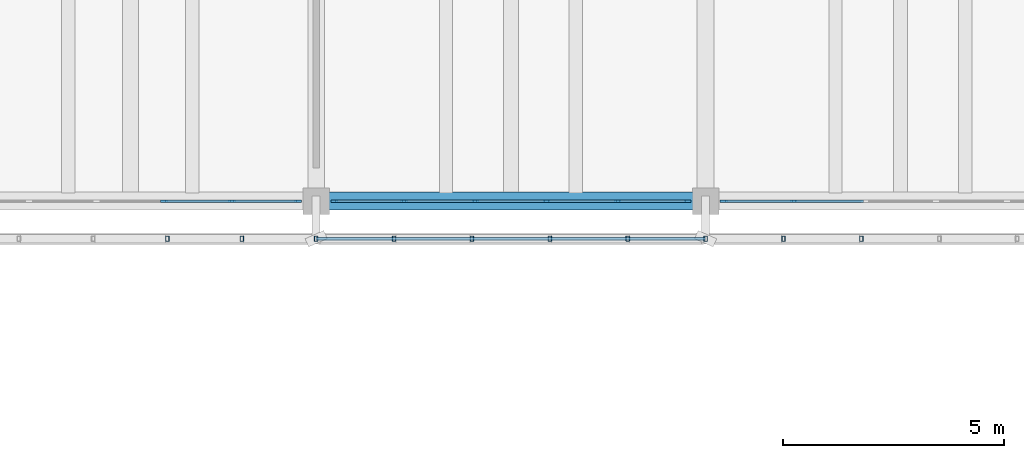
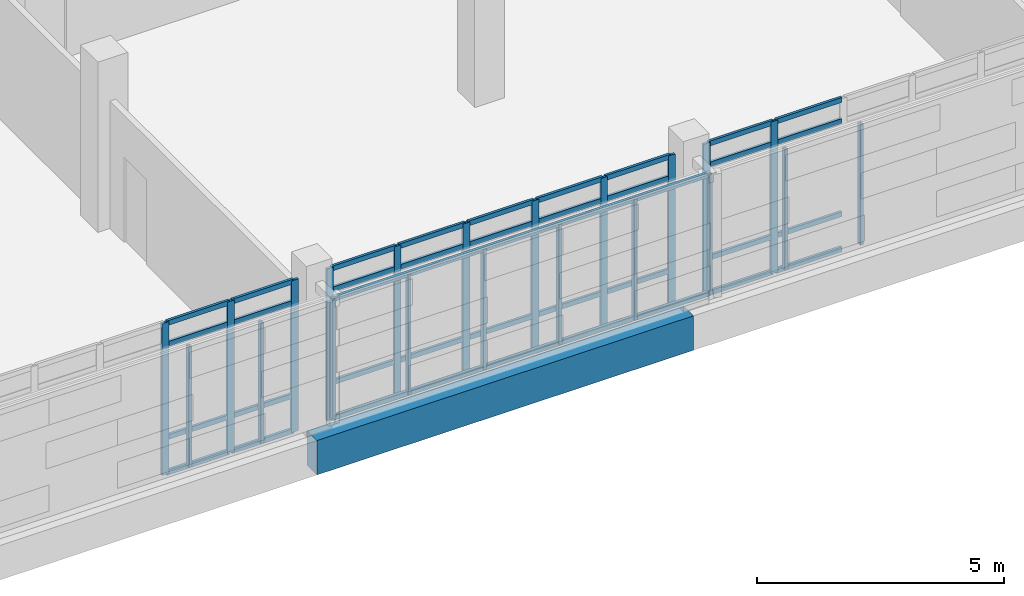
# One storey, part 54 of 137: 59 members, 1 beam, 3 elements without a shape of their own.
"""IFC4 building model written with IfcOpenShell, lengths in metres."""

from ifc_helpers import new_model, si_unit, direction, frame, origin, origin_2d, place, context, subcontext, project, spatial, rectangle, hollow_rectangle, extrude, material, material_profile, profile_set, type_object, element, aggregate, save


model = new_model("IFC4")

# Units and contexts
model_context = context("Model", 3, precision=1e-05, world=origin(), true_north=direction((0.0, 1.0)))
body_context = subcontext(model_context, "Body", "Model", "MODEL_VIEW")
ifc_project = project(units=[si_unit("LENGTHUNIT", "METRE"), si_unit("AREAUNIT", "SQUARE_METRE"), si_unit("VOLUMEUNIT", "CUBIC_METRE"), si_unit("PLANEANGLEUNIT", "RADIAN"), si_unit("MASSUNIT", "GRAM", prefix="KILO")], contexts=[model_context])

# Site, building, storey
site_placement = place(None, origin())
site = spatial("IfcSite", under=ifc_project, at=site_placement, CompositionType="ELEMENT")
building_placement = place(site_placement, origin())
building = spatial("IfcBuilding", under=site, at=building_placement, Name="Cinderway Yard Community Centre", CompositionType="ELEMENT")
storey_placement = place(building_placement, frame((0.0, 0.0, 4.800048828125)))
storey = spatial("IfcBuildingStorey", under=building, at=storey_placement, Name="L01", CompositionType="ELEMENT", Elevation=4.800048828125)

# Curtain wall, members
ifc_material_1 = material(Name="Aluminium 6063-T6", Category="aluminium")
curtain_wall_type_1 = type_object("IfcCurtainWallType", Name="ENV-CW-TYPE-26", PredefinedType="USERDEFINED", material=ifc_material_1)
curtain_wall_1_placement = place(storey_placement, origin())
curtain_wall_1 = element("IfcCurtainWall", 1, at=curtain_wall_1_placement, inside=storey, type_object=curtain_wall_type_1, Name="V4 Courtyard Curtain Wall ENV-CW-L01-ST-0127", ObjectType="GLAZED CURTAIN WALL", PredefinedType="USERDEFINED")
ifc_material_profile_1 = material_profile(ifc_material_1, rectangle(XDim=0.06005859375, YDim=0.159912109375, at=origin_2d()), Name="Aluminium 6063-T6")
ifc_profile_set_1 = profile_set([ifc_material_profile_1], Name="Aluminium 6063-T6")
member_type_1 = type_object("IfcMemberType", Name="ENV-CW-MULL-150", PredefinedType="MULLION", material=ifc_profile_set_1)
member_1_placement = place(storey_placement, frame((71.763916015625, 90.0, 0.0), z_axis=(0.0, 0.0, 1.0), x_axis=(0.0, 1.0, 0.0)))
member_1 = element("IfcMember", 2, at=member_1_placement, type_object=member_type_1, Name="CW-26 mullion 4", PredefinedType="MULLION", context=body_context, shape_type="SweptSolid", body=[
    extrude(rectangle(XDim=0.06005859375, YDim=0.159912109375, at=origin_2d()), origin(), (0.0, 0.0, 1.0), 3.75),
])
member_2_placement = place(storey_placement, frame((73.2919921875, 90.0, 0.0), z_axis=(0.0, 0.0, 1.0), x_axis=(0.0, 1.0, 0.0)))
member_2 = element("IfcMember", 3, at=member_2_placement, type_object=member_type_1, Name="CW-26 mullion 5", PredefinedType="MULLION", context=body_context, shape_type="SweptSolid", body=[
    extrude(rectangle(XDim=0.06005859375, YDim=0.159912109375, at=origin_2d()), origin(), (0.0, 0.0, 1.0), 3.75),
])
member_3_placement = place(storey_placement, frame((74.7900390625, 90.0, 0.0), z_axis=(0.0, 0.0, 1.0), x_axis=(0.0, 1.0, 0.0)))
member_3 = element("IfcMember", 4, at=member_3_placement, type_object=member_type_1, Name="CW-26 mullion 6", PredefinedType="MULLION", context=body_context, shape_type="SweptSolid", body=[
    extrude(rectangle(XDim=0.06005859375, YDim=0.159912109375, at=origin_2d()), origin(), (0.0, 0.0, 1.0), 3.75),
])

curtain_wall_type_2 = type_object("IfcCurtainWallType", Name="ENV-CW-TYPE-27", PredefinedType="USERDEFINED", material=ifc_material_1)
curtain_wall_2_placement = place(storey_placement, origin())
curtain_wall_2 = element("IfcCurtainWall", 5, at=curtain_wall_2_placement, inside=storey, type_object=curtain_wall_type_2, Name="V4 Courtyard Curtain Wall ENV-CW-L01-ST-0128", ObjectType="GLAZED CURTAIN WALL", PredefinedType="USERDEFINED")
member_4_placement = place(storey_placement, frame((75.610107421875, 90.0, 0.0), z_axis=(0.0, 0.0, 1.0), x_axis=(0.0, 1.0, 0.0)))
member_4 = element("IfcMember", 6, at=member_4_placement, type_object=member_type_1, Name="CW-27 mullion 1", PredefinedType="MULLION", context=body_context, shape_type="SweptSolid", body=[
    extrude(rectangle(XDim=0.06005859375, YDim=0.159912109375, at=origin_2d()), origin(), (0.0, 0.0, 1.0), 3.75),
])
member_5_placement = place(storey_placement, frame((77.18798828125, 90.0, 0.0), z_axis=(0.0, 0.0, 1.0), x_axis=(0.0, 1.0, 0.0)))
member_5 = element("IfcMember", 7, at=member_5_placement, type_object=member_type_1, Name="CW-27 mullion 2", PredefinedType="MULLION", context=body_context, shape_type="SweptSolid", body=[
    extrude(rectangle(XDim=0.06005859375, YDim=0.159912109375, at=origin_2d()), origin(), (0.0, 0.0, 1.0), 3.75),
])
member_6_placement = place(storey_placement, frame((78.7958984375, 90.0, 0.0), z_axis=(0.0, 0.0, 1.0), x_axis=(0.0, 1.0, 0.0)))
member_6 = element("IfcMember", 8, at=member_6_placement, type_object=member_type_1, Name="CW-27 mullion 3", PredefinedType="MULLION", context=body_context, shape_type="SweptSolid", body=[
    extrude(rectangle(XDim=0.06005859375, YDim=0.159912109375, at=origin_2d()), origin(), (0.0, 0.0, 1.0), 3.75),
])
member_7_placement = place(storey_placement, frame((80.404052734375, 90.0, 0.0), z_axis=(0.0, 0.0, 1.0), x_axis=(0.0, 1.0, 0.0)))
member_7 = element("IfcMember", 9, at=member_7_placement, type_object=member_type_1, Name="CW-27 mullion 4", PredefinedType="MULLION", context=body_context, shape_type="SweptSolid", body=[
    extrude(rectangle(XDim=0.06005859375, YDim=0.159912109375, at=origin_2d()), origin(), (0.0, 0.0, 1.0), 3.75),
])
member_8_placement = place(storey_placement, frame((82.011962890625, 90.0, 0.0), z_axis=(0.0, 0.0, 1.0), x_axis=(0.0, 1.0, 0.0)))
member_8 = element("IfcMember", 10, at=member_8_placement, type_object=member_type_1, Name="CW-27 mullion 5", PredefinedType="MULLION", context=body_context, shape_type="SweptSolid", body=[
    extrude(rectangle(XDim=0.06005859375, YDim=0.159912109375, at=origin_2d()), origin(), (0.0, 0.0, 1.0), 3.75),
])
member_9_placement = place(storey_placement, frame((83.590087890625, 90.0, 0.0), z_axis=(0.0, 0.0, 1.0), x_axis=(0.0, 1.0, 0.0)))
member_9 = element("IfcMember", 11, at=member_9_placement, type_object=member_type_1, Name="CW-27 mullion 6", PredefinedType="MULLION", context=body_context, shape_type="SweptSolid", body=[
    extrude(rectangle(XDim=0.06005859375, YDim=0.159912109375, at=origin_2d()), origin(), (0.0, 0.0, 1.0), 3.75),
])

curtain_wall_3_placement = place(storey_placement, origin())
curtain_wall_3 = element("IfcCurtainWall", 12, at=curtain_wall_3_placement, inside=storey, type_object=curtain_wall_type_2, Name="V4 Courtyard Curtain Wall ENV-CW-L01-ST-0130", ObjectType="GLAZED CURTAIN WALL", PredefinedType="USERDEFINED")
member_10_placement = place(storey_placement, frame((84.409912109375, 90.0, 0.0), z_axis=(0.0, 0.0, 1.0), x_axis=(0.0, 1.0, 0.0)))
member_10 = element("IfcMember", 13, at=member_10_placement, type_object=member_type_1, Name="CW-27 mullion 1", PredefinedType="MULLION", context=body_context, shape_type="SweptSolid", body=[
    extrude(rectangle(XDim=0.06005859375, YDim=0.159912109375, at=origin_2d()), origin(), (0.0, 0.0, 1.0), 3.75),
])
member_11_placement = place(storey_placement, frame((85.988037109375, 90.0, 0.0), z_axis=(0.0, 0.0, 1.0), x_axis=(0.0, 1.0, 0.0)))
member_11 = element("IfcMember", 14, at=member_11_placement, type_object=member_type_1, Name="CW-27 mullion 2", PredefinedType="MULLION", context=body_context, shape_type="SweptSolid", body=[
    extrude(rectangle(XDim=0.06005859375, YDim=0.159912109375, at=origin_2d()), origin(), (0.0, 0.0, 1.0), 3.75),
])

# Member
ifc_material_profile_2 = material_profile(ifc_material_1, rectangle(XDim=0.06005859375, YDim=0.1201171875, at=origin_2d()), Name="Aluminium 6063-T6")
ifc_profile_set_2 = profile_set([ifc_material_profile_2], Name="Aluminium 6063-T6")
member_type_2 = type_object("IfcMemberType", Name="ENV-CW-TRAN-110", PredefinedType="USERDEFINED", material=ifc_profile_set_2)
member_12_placement = place(storey_placement, frame((71.7939453125, 90.0, 0.030029296875), z_axis=(1.0, 0.0, 0.0), x_axis=(0.0, 1.0, 0.0)))
member_12 = element("IfcMember", 15, at=member_12_placement, type_object=member_type_2, Name="CW-26 transom 4.1", ObjectType="TRANSOM", PredefinedType="USERDEFINED", context=body_context, shape_type="SweptSolid", body=[
    extrude(rectangle(XDim=0.06005859375, YDim=0.1201171875, at=origin_2d()), origin(), (0.0, 0.0, 1.0), 1.468017578125),
])

member_13_placement = place(storey_placement, frame((71.7939453125, 90.0, 0.89990234375), z_axis=(1.0, 0.0, 0.0), x_axis=(0.0, 1.0, 0.0)))
member_13 = element("IfcMember", 16, at=member_13_placement, type_object=member_type_2, Name="CW-26 transom 4.2", ObjectType="TRANSOM", PredefinedType="USERDEFINED", context=body_context, shape_type="SweptSolid", body=[
    extrude(rectangle(XDim=0.06005859375, YDim=0.1201171875, at=origin_2d()), origin(), (0.0, 0.0, 1.0), 1.468017578125),
])

member_14_placement = place(storey_placement, frame((71.7939453125, 90.0, 3.199951171875), z_axis=(1.0, 0.0, 0.0), x_axis=(0.0, 1.0, 0.0)))
member_14 = element("IfcMember", 17, at=member_14_placement, type_object=member_type_2, Name="CW-26 transom 4.3", ObjectType="TRANSOM", PredefinedType="USERDEFINED", context=body_context, shape_type="SweptSolid", body=[
    extrude(rectangle(XDim=0.06005859375, YDim=0.1201171875, at=origin_2d()), origin(), (0.0, 0.0, 1.0), 1.468017578125),
])

member_15_placement = place(storey_placement, frame((71.7939453125, 90.0, 3.719970703125), z_axis=(1.0, 0.0, 0.0), x_axis=(0.0, 1.0, 0.0)))
member_15 = element("IfcMember", 18, at=member_15_placement, type_object=member_type_2, Name="CW-26 transom 4.4", ObjectType="TRANSOM", PredefinedType="USERDEFINED", context=body_context, shape_type="SweptSolid", body=[
    extrude(rectangle(XDim=0.06005859375, YDim=0.1201171875, at=origin_2d()), origin(), (0.0, 0.0, 1.0), 1.468017578125),
])

member_16_placement = place(storey_placement, frame((73.322021484375, 90.0, 0.030029296875), z_axis=(1.0, 0.0, 0.0), x_axis=(0.0, 1.0, 0.0)))
member_16 = element("IfcMember", 19, at=member_16_placement, type_object=member_type_2, Name="CW-26 transom 5.1", ObjectType="TRANSOM", PredefinedType="USERDEFINED", context=body_context, shape_type="SweptSolid", body=[
    extrude(rectangle(XDim=0.06005859375, YDim=0.1201171875, at=origin_2d()), origin(), (0.0, 0.0, 1.0), 1.43798828125),
])

member_17_placement = place(storey_placement, frame((73.322021484375, 90.0, 0.89990234375), z_axis=(1.0, 0.0, 0.0), x_axis=(0.0, 1.0, 0.0)))
member_17 = element("IfcMember", 20, at=member_17_placement, type_object=member_type_2, Name="CW-26 transom 5.2", ObjectType="TRANSOM", PredefinedType="USERDEFINED", context=body_context, shape_type="SweptSolid", body=[
    extrude(rectangle(XDim=0.06005859375, YDim=0.1201171875, at=origin_2d()), origin(), (0.0, 0.0, 1.0), 1.43798828125),
])

member_18_placement = place(storey_placement, frame((73.322021484375, 90.0, 3.199951171875), z_axis=(1.0, 0.0, 0.0), x_axis=(0.0, 1.0, 0.0)))
member_18 = element("IfcMember", 21, at=member_18_placement, type_object=member_type_2, Name="CW-26 transom 5.3", ObjectType="TRANSOM", PredefinedType="USERDEFINED", context=body_context, shape_type="SweptSolid", body=[
    extrude(rectangle(XDim=0.06005859375, YDim=0.1201171875, at=origin_2d()), origin(), (0.0, 0.0, 1.0), 1.43798828125),
])

member_19_placement = place(storey_placement, frame((73.322021484375, 90.0, 3.719970703125), z_axis=(1.0, 0.0, 0.0), x_axis=(0.0, 1.0, 0.0)))
member_19 = element("IfcMember", 22, at=member_19_placement, type_object=member_type_2, Name="CW-26 transom 5.4", ObjectType="TRANSOM", PredefinedType="USERDEFINED", context=body_context, shape_type="SweptSolid", body=[
    extrude(rectangle(XDim=0.06005859375, YDim=0.1201171875, at=origin_2d()), origin(), (0.0, 0.0, 1.0), 1.43798828125),
])

aggregate(curtain_wall_1, [member_1, member_2, member_3, member_12, member_13, member_14, member_15, member_16, member_17, member_18, member_19])

member_20_placement = place(storey_placement, frame((75.639892578125, 90.0, 0.030029296875), z_axis=(1.0, 0.0, 0.0), x_axis=(0.0, 1.0, 0.0)))
member_20 = element("IfcMember", 23, at=member_20_placement, type_object=member_type_2, Name="CW-27 transom 1.1", ObjectType="TRANSOM", PredefinedType="USERDEFINED", context=body_context, shape_type="SweptSolid", body=[
    extrude(rectangle(XDim=0.06005859375, YDim=0.1201171875, at=origin_2d()), origin(), (0.0, 0.0, 1.0), 1.51806640625),
])

member_21_placement = place(storey_placement, frame((75.639892578125, 90.0, 0.89990234375), z_axis=(1.0, 0.0, 0.0), x_axis=(0.0, 1.0, 0.0)))
member_21 = element("IfcMember", 24, at=member_21_placement, type_object=member_type_2, Name="CW-27 transom 1.2", ObjectType="TRANSOM", PredefinedType="USERDEFINED", context=body_context, shape_type="SweptSolid", body=[
    extrude(rectangle(XDim=0.06005859375, YDim=0.1201171875, at=origin_2d()), origin(), (0.0, 0.0, 1.0), 1.51806640625),
])

member_22_placement = place(storey_placement, frame((75.639892578125, 90.0, 3.199951171875), z_axis=(1.0, 0.0, 0.0), x_axis=(0.0, 1.0, 0.0)))
member_22 = element("IfcMember", 25, at=member_22_placement, type_object=member_type_2, Name="CW-27 transom 1.3", ObjectType="TRANSOM", PredefinedType="USERDEFINED", context=body_context, shape_type="SweptSolid", body=[
    extrude(rectangle(XDim=0.06005859375, YDim=0.1201171875, at=origin_2d()), origin(), (0.0, 0.0, 1.0), 1.51806640625),
])

member_23_placement = place(storey_placement, frame((75.639892578125, 90.0, 3.719970703125), z_axis=(1.0, 0.0, 0.0), x_axis=(0.0, 1.0, 0.0)))
member_23 = element("IfcMember", 26, at=member_23_placement, type_object=member_type_2, Name="CW-27 transom 1.4", ObjectType="TRANSOM", PredefinedType="USERDEFINED", context=body_context, shape_type="SweptSolid", body=[
    extrude(rectangle(XDim=0.06005859375, YDim=0.1201171875, at=origin_2d()), origin(), (0.0, 0.0, 1.0), 1.51806640625),
])

member_24_placement = place(storey_placement, frame((77.218017578125, 90.0, 0.030029296875), z_axis=(1.0, 0.0, 0.0), x_axis=(0.0, 1.0, 0.0)))
member_24 = element("IfcMember", 27, at=member_24_placement, type_object=member_type_2, Name="CW-27 transom 2.1", ObjectType="TRANSOM", PredefinedType="USERDEFINED", context=body_context, shape_type="SweptSolid", body=[
    extrude(rectangle(XDim=0.06005859375, YDim=0.1201171875, at=origin_2d()), origin(), (0.0, 0.0, 1.0), 1.548095703125),
])

member_25_placement = place(storey_placement, frame((77.218017578125, 90.0, 0.89990234375), z_axis=(1.0, 0.0, 0.0), x_axis=(0.0, 1.0, 0.0)))
member_25 = element("IfcMember", 28, at=member_25_placement, type_object=member_type_2, Name="CW-27 transom 2.2", ObjectType="TRANSOM", PredefinedType="USERDEFINED", context=body_context, shape_type="SweptSolid", body=[
    extrude(rectangle(XDim=0.06005859375, YDim=0.1201171875, at=origin_2d()), origin(), (0.0, 0.0, 1.0), 1.548095703125),
])

member_26_placement = place(storey_placement, frame((77.218017578125, 90.0, 3.199951171875), z_axis=(1.0, 0.0, 0.0), x_axis=(0.0, 1.0, 0.0)))
member_26 = element("IfcMember", 29, at=member_26_placement, type_object=member_type_2, Name="CW-27 transom 2.3", ObjectType="TRANSOM", PredefinedType="USERDEFINED", context=body_context, shape_type="SweptSolid", body=[
    extrude(rectangle(XDim=0.06005859375, YDim=0.1201171875, at=origin_2d()), origin(), (0.0, 0.0, 1.0), 1.548095703125),
])

member_27_placement = place(storey_placement, frame((77.218017578125, 90.0, 3.719970703125), z_axis=(1.0, 0.0, 0.0), x_axis=(0.0, 1.0, 0.0)))
member_27 = element("IfcMember", 30, at=member_27_placement, type_object=member_type_2, Name="CW-27 transom 2.4", ObjectType="TRANSOM", PredefinedType="USERDEFINED", context=body_context, shape_type="SweptSolid", body=[
    extrude(rectangle(XDim=0.06005859375, YDim=0.1201171875, at=origin_2d()), origin(), (0.0, 0.0, 1.0), 1.548095703125),
])

member_28_placement = place(storey_placement, frame((78.825927734375, 90.0, 0.030029296875), z_axis=(1.0, 0.0, 0.0), x_axis=(0.0, 1.0, 0.0)))
member_28 = element("IfcMember", 31, at=member_28_placement, type_object=member_type_2, Name="CW-27 transom 3.1", ObjectType="TRANSOM", PredefinedType="USERDEFINED", context=body_context, shape_type="SweptSolid", body=[
    extrude(rectangle(XDim=0.06005859375, YDim=0.1201171875, at=origin_2d()), origin(), (0.0, 0.0, 1.0), 1.548095703125),
])

member_29_placement = place(storey_placement, frame((78.825927734375, 90.0, 0.89990234375), z_axis=(1.0, 0.0, 0.0), x_axis=(0.0, 1.0, 0.0)))
member_29 = element("IfcMember", 32, at=member_29_placement, type_object=member_type_2, Name="CW-27 transom 3.2", ObjectType="TRANSOM", PredefinedType="USERDEFINED", context=body_context, shape_type="SweptSolid", body=[
    extrude(rectangle(XDim=0.06005859375, YDim=0.1201171875, at=origin_2d()), origin(), (0.0, 0.0, 1.0), 1.548095703125),
])

member_30_placement = place(storey_placement, frame((78.825927734375, 90.0, 3.199951171875), z_axis=(1.0, 0.0, 0.0), x_axis=(0.0, 1.0, 0.0)))
member_30 = element("IfcMember", 33, at=member_30_placement, type_object=member_type_2, Name="CW-27 transom 3.3", ObjectType="TRANSOM", PredefinedType="USERDEFINED", context=body_context, shape_type="SweptSolid", body=[
    extrude(rectangle(XDim=0.06005859375, YDim=0.1201171875, at=origin_2d()), origin(), (0.0, 0.0, 1.0), 1.548095703125),
])

member_31_placement = place(storey_placement, frame((78.825927734375, 90.0, 3.719970703125), z_axis=(1.0, 0.0, 0.0), x_axis=(0.0, 1.0, 0.0)))
member_31 = element("IfcMember", 34, at=member_31_placement, type_object=member_type_2, Name="CW-27 transom 3.4", ObjectType="TRANSOM", PredefinedType="USERDEFINED", context=body_context, shape_type="SweptSolid", body=[
    extrude(rectangle(XDim=0.06005859375, YDim=0.1201171875, at=origin_2d()), origin(), (0.0, 0.0, 1.0), 1.548095703125),
])

member_32_placement = place(storey_placement, frame((80.43408203125, 90.0, 0.030029296875), z_axis=(1.0, 0.0, 0.0), x_axis=(0.0, 1.0, 0.0)))
member_32 = element("IfcMember", 35, at=member_32_placement, type_object=member_type_2, Name="CW-27 transom 4.1", ObjectType="TRANSOM", PredefinedType="USERDEFINED", context=body_context, shape_type="SweptSolid", body=[
    extrude(rectangle(XDim=0.06005859375, YDim=0.1201171875, at=origin_2d()), origin(), (0.0, 0.0, 1.0), 1.5478515625),
])

member_33_placement = place(storey_placement, frame((80.43408203125, 90.0, 0.89990234375), z_axis=(1.0, 0.0, 0.0), x_axis=(0.0, 1.0, 0.0)))
member_33 = element("IfcMember", 36, at=member_33_placement, type_object=member_type_2, Name="CW-27 transom 4.2", ObjectType="TRANSOM", PredefinedType="USERDEFINED", context=body_context, shape_type="SweptSolid", body=[
    extrude(rectangle(XDim=0.06005859375, YDim=0.1201171875, at=origin_2d()), origin(), (0.0, 0.0, 1.0), 1.5478515625),
])

member_34_placement = place(storey_placement, frame((80.43408203125, 90.0, 3.199951171875), z_axis=(1.0, 0.0, 0.0), x_axis=(0.0, 1.0, 0.0)))
member_34 = element("IfcMember", 37, at=member_34_placement, type_object=member_type_2, Name="CW-27 transom 4.3", ObjectType="TRANSOM", PredefinedType="USERDEFINED", context=body_context, shape_type="SweptSolid", body=[
    extrude(rectangle(XDim=0.06005859375, YDim=0.1201171875, at=origin_2d()), origin(), (0.0, 0.0, 1.0), 1.5478515625),
])

member_35_placement = place(storey_placement, frame((80.43408203125, 90.0, 3.719970703125), z_axis=(1.0, 0.0, 0.0), x_axis=(0.0, 1.0, 0.0)))
member_35 = element("IfcMember", 38, at=member_35_placement, type_object=member_type_2, Name="CW-27 transom 4.4", ObjectType="TRANSOM", PredefinedType="USERDEFINED", context=body_context, shape_type="SweptSolid", body=[
    extrude(rectangle(XDim=0.06005859375, YDim=0.1201171875, at=origin_2d()), origin(), (0.0, 0.0, 1.0), 1.5478515625),
])

member_36_placement = place(storey_placement, frame((82.0419921875, 90.0, 0.030029296875), z_axis=(1.0, 0.0, 0.0), x_axis=(0.0, 1.0, 0.0)))
member_36 = element("IfcMember", 39, at=member_36_placement, type_object=member_type_2, Name="CW-27 transom 5.1", ObjectType="TRANSOM", PredefinedType="USERDEFINED", context=body_context, shape_type="SweptSolid", body=[
    extrude(rectangle(XDim=0.06005859375, YDim=0.1201171875, at=origin_2d()), origin(), (0.0, 0.0, 1.0), 1.51806640625),
])

member_37_placement = place(storey_placement, frame((82.0419921875, 90.0, 0.89990234375), z_axis=(1.0, 0.0, 0.0), x_axis=(0.0, 1.0, 0.0)))
member_37 = element("IfcMember", 40, at=member_37_placement, type_object=member_type_2, Name="CW-27 transom 5.2", ObjectType="TRANSOM", PredefinedType="USERDEFINED", context=body_context, shape_type="SweptSolid", body=[
    extrude(rectangle(XDim=0.06005859375, YDim=0.1201171875, at=origin_2d()), origin(), (0.0, 0.0, 1.0), 1.51806640625),
])

member_38_placement = place(storey_placement, frame((82.0419921875, 90.0, 3.199951171875), z_axis=(1.0, 0.0, 0.0), x_axis=(0.0, 1.0, 0.0)))
member_38 = element("IfcMember", 41, at=member_38_placement, type_object=member_type_2, Name="CW-27 transom 5.3", ObjectType="TRANSOM", PredefinedType="USERDEFINED", context=body_context, shape_type="SweptSolid", body=[
    extrude(rectangle(XDim=0.06005859375, YDim=0.1201171875, at=origin_2d()), origin(), (0.0, 0.0, 1.0), 1.51806640625),
])

member_39_placement = place(storey_placement, frame((82.0419921875, 90.0, 3.719970703125), z_axis=(1.0, 0.0, 0.0), x_axis=(0.0, 1.0, 0.0)))
member_39 = element("IfcMember", 42, at=member_39_placement, type_object=member_type_2, Name="CW-27 transom 5.4", ObjectType="TRANSOM", PredefinedType="USERDEFINED", context=body_context, shape_type="SweptSolid", body=[
    extrude(rectangle(XDim=0.06005859375, YDim=0.1201171875, at=origin_2d()), origin(), (0.0, 0.0, 1.0), 1.51806640625),
])

aggregate(curtain_wall_2, [member_4, member_5, member_6, member_7, member_8, member_9, member_20, member_21, member_22, member_23, member_24, member_25, member_26, member_27, member_28, member_29, member_30, member_31, member_32, member_33, member_34, member_35, member_36, member_37, member_38, member_39])

member_40_placement = place(storey_placement, frame((84.43994140625, 90.0, 0.030029296875), z_axis=(1.0, 0.0, 0.0), x_axis=(0.0, 1.0, 0.0)))
member_40 = element("IfcMember", 43, at=member_40_placement, type_object=member_type_2, Name="CW-27 transom 1.1", ObjectType="TRANSOM", PredefinedType="USERDEFINED", context=body_context, shape_type="SweptSolid", body=[
    extrude(rectangle(XDim=0.06005859375, YDim=0.1201171875, at=origin_2d()), origin(), (0.0, 0.0, 1.0), 1.51806640625),
])

member_41_placement = place(storey_placement, frame((84.43994140625, 90.0, 0.89990234375), z_axis=(1.0, 0.0, 0.0), x_axis=(0.0, 1.0, 0.0)))
member_41 = element("IfcMember", 44, at=member_41_placement, type_object=member_type_2, Name="CW-27 transom 1.2", ObjectType="TRANSOM", PredefinedType="USERDEFINED", context=body_context, shape_type="SweptSolid", body=[
    extrude(rectangle(XDim=0.06005859375, YDim=0.1201171875, at=origin_2d()), origin(), (0.0, 0.0, 1.0), 1.51806640625),
])

member_42_placement = place(storey_placement, frame((84.43994140625, 90.0, 3.199951171875), z_axis=(1.0, 0.0, 0.0), x_axis=(0.0, 1.0, 0.0)))
member_42 = element("IfcMember", 45, at=member_42_placement, type_object=member_type_2, Name="CW-27 transom 1.3", ObjectType="TRANSOM", PredefinedType="USERDEFINED", context=body_context, shape_type="SweptSolid", body=[
    extrude(rectangle(XDim=0.06005859375, YDim=0.1201171875, at=origin_2d()), origin(), (0.0, 0.0, 1.0), 1.51806640625),
])

member_43_placement = place(storey_placement, frame((84.43994140625, 90.0, 3.719970703125), z_axis=(1.0, 0.0, 0.0), x_axis=(0.0, 1.0, 0.0)))
member_43 = element("IfcMember", 46, at=member_43_placement, type_object=member_type_2, Name="CW-27 transom 1.4", ObjectType="TRANSOM", PredefinedType="USERDEFINED", context=body_context, shape_type="SweptSolid", body=[
    extrude(rectangle(XDim=0.06005859375, YDim=0.1201171875, at=origin_2d()), origin(), (0.0, 0.0, 1.0), 1.51806640625),
])

member_44_placement = place(storey_placement, frame((86.01806640625, 90.0, 0.030029296875), z_axis=(1.0, 0.0, 0.0), x_axis=(0.0, 1.0, 0.0)))
member_44 = element("IfcMember", 47, at=member_44_placement, type_object=member_type_2, Name="CW-27 transom 2.1", ObjectType="TRANSOM", PredefinedType="USERDEFINED", context=body_context, shape_type="SweptSolid", body=[
    extrude(rectangle(XDim=0.06005859375, YDim=0.1201171875, at=origin_2d()), origin(), (0.0, 0.0, 1.0), 1.5478515625),
])

member_45_placement = place(storey_placement, frame((86.01806640625, 90.0, 0.89990234375), z_axis=(1.0, 0.0, 0.0), x_axis=(0.0, 1.0, 0.0)))
member_45 = element("IfcMember", 48, at=member_45_placement, type_object=member_type_2, Name="CW-27 transom 2.2", ObjectType="TRANSOM", PredefinedType="USERDEFINED", context=body_context, shape_type="SweptSolid", body=[
    extrude(rectangle(XDim=0.06005859375, YDim=0.1201171875, at=origin_2d()), origin(), (0.0, 0.0, 1.0), 1.5478515625),
])

member_46_placement = place(storey_placement, frame((86.01806640625, 90.0, 3.199951171875), z_axis=(1.0, 0.0, 0.0), x_axis=(0.0, 1.0, 0.0)))
member_46 = element("IfcMember", 49, at=member_46_placement, type_object=member_type_2, Name="CW-27 transom 2.3", ObjectType="TRANSOM", PredefinedType="USERDEFINED", context=body_context, shape_type="SweptSolid", body=[
    extrude(rectangle(XDim=0.06005859375, YDim=0.1201171875, at=origin_2d()), origin(), (0.0, 0.0, 1.0), 1.5478515625),
])

member_47_placement = place(storey_placement, frame((86.01806640625, 90.0, 3.719970703125), z_axis=(1.0, 0.0, 0.0), x_axis=(0.0, 1.0, 0.0)))
member_47 = element("IfcMember", 50, at=member_47_placement, type_object=member_type_2, Name="CW-27 transom 2.4", ObjectType="TRANSOM", PredefinedType="USERDEFINED", context=body_context, shape_type="SweptSolid", body=[
    extrude(rectangle(XDim=0.06005859375, YDim=0.1201171875, at=origin_2d()), origin(), (0.0, 0.0, 1.0), 1.5478515625),
])

aggregate(curtain_wall_3, [member_10, member_11, member_40, member_41, member_42, member_43, member_44, member_45, member_46, member_47])

# Members
ifc_material_2 = material(Name="Steel S355", Category="steel")
ifc_material_profile_3 = material_profile(ifc_material_2, hollow_rectangle(XDim=0.080078125, YDim=0.1201171875, WallThickness=0.00634765625, InnerFilletRadius=0.00634765625, OuterFilletRadius=0.0126953125, at=origin_2d()), Name="Steel S355")
ifc_profile_set_3 = profile_set([ifc_material_profile_3], Name="Steel S355")
member_type_3 = type_object("IfcMemberType", Name="ENV-MEM-SCREEN-RAIL-120", PredefinedType="STRINGER", material=ifc_profile_set_3)
for number, where, z_axis, x_axis, name in (
    (51, (71.840087890625, 89.14990234375, 0.68994140625), (0.0, 0.0, 1.0), (1.0, 0.0, 0.0), "Screen vertical mullion 0346"),
    (52, (73.52001953125, 89.14990234375, 0.68994140625), (0.0, 0.0, 1.0), (1.0, 0.0, 0.0), "Screen vertical mullion 0347"),
    (53, (75.199951171875, 89.14990234375, 0.68994140625), (0.0, 0.0, 1.0), (1.0, 0.0, 0.0), "Screen vertical mullion 0348"),
):
    element("IfcMember", number, at=place(storey_placement, frame(where, z_axis=z_axis, x_axis=x_axis)), inside=storey, type_object=member_type_3, Name=name, PredefinedType="STRINGER", context=body_context, shape_type="SweptSolid", body=[
        extrude(hollow_rectangle(XDim=0.080078125, YDim=0.1201171875, WallThickness=0.00634765625, InnerFilletRadius=0.00634765625, OuterFilletRadius=0.0126953125, at=origin_2d()), origin(), (0.0, 0.0, 1.0), 2.969970703125),
    ])
for number, where, z_axis, x_axis, name in (
    (54, (75.199951171875, 89.14990234375, 0.7099609375), (1.0, 0.0, 0.0), (0.0, 1.0, 0.0), "Screen support rail 0350-BOT"),
    (55, (75.199951171875, 89.14990234375, 3.639892578125), (1.0, 0.0, 0.0), (0.0, 1.0, 0.0), "Screen support rail 0351-TOP"),
):
    element("IfcMember", number, at=place(storey_placement, frame(where, z_axis=z_axis, x_axis=x_axis)), inside=storey, type_object=member_type_3, Name=name, PredefinedType="STRINGER", context=body_context, shape_type="SweptSolid", body=[
        extrude(hollow_rectangle(XDim=0.080078125, YDim=0.1201171875, WallThickness=0.00634765625, InnerFilletRadius=0.00634765625, OuterFilletRadius=0.0126953125, at=origin_2d()), origin(), (0.0, 0.0, 1.0), 8.800048828125),
    ])
for number, where, z_axis, x_axis, name in (
    (56, (76.9599609375, 89.14990234375, 0.68994140625), (0.0, 0.0, 1.0), (1.0, 0.0, 0.0), "Screen vertical mullion 0352"),
    (57, (78.719970703125, 89.14990234375, 0.68994140625), (0.0, 0.0, 1.0), (1.0, 0.0, 0.0), "Screen vertical mullion 0353"),
    (58, (80.47998046875, 89.14990234375, 0.68994140625), (0.0, 0.0, 1.0), (1.0, 0.0, 0.0), "Screen vertical mullion 0354"),
    (59, (82.239990234375, 89.14990234375, 0.68994140625), (0.0, 0.0, 1.0), (1.0, 0.0, 0.0), "Screen vertical mullion 0355"),
    (60, (84.0, 89.14990234375, 0.68994140625), (0.0, 0.0, 1.0), (1.0, 0.0, 0.0), "Screen vertical mullion 0356"),
    (61, (85.760009765625, 89.14990234375, 0.68994140625), (0.0, 0.0, 1.0), (1.0, 0.0, 0.0), "Screen vertical mullion 0360"),
    (62, (87.52001953125, 89.14990234375, 0.68994140625), (0.0, 0.0, 1.0), (1.0, 0.0, 0.0), "Screen vertical mullion 0361"),
):
    element("IfcMember", number, at=place(storey_placement, frame(where, z_axis=z_axis, x_axis=x_axis)), inside=storey, type_object=member_type_3, Name=name, PredefinedType="STRINGER", context=body_context, shape_type="SweptSolid", body=[
        extrude(hollow_rectangle(XDim=0.080078125, YDim=0.1201171875, WallThickness=0.00634765625, InnerFilletRadius=0.00634765625, OuterFilletRadius=0.0126953125, at=origin_2d()), origin(), (0.0, 0.0, 1.0), 2.969970703125),
    ])

# Beam
ifc_material_3 = material(Name="Concrete C40/50", Category="concrete")
ifc_material_profile_4 = material_profile(ifc_material_3, rectangle(XDim=0.39990234375, YDim=0.85009765625, at=origin_2d()), Name="Concrete C40/50")
ifc_profile_set_4 = profile_set([ifc_material_profile_4], Name="Concrete C40/50")
beam_type = type_object("IfcBeamType", Name="STR-BM-RC400X850", PredefinedType="BEAM", material=ifc_profile_set_4)
beam_placement = place(storey_placement, frame((75.199951171875, 90.0, -0.68505859375), z_axis=(1.0, 0.0, 0.0), x_axis=(0.0, 1.0, 0.0)))
element("IfcBeam", 63, at=beam_placement, inside=storey, type_object=beam_type, Name="Primary girder STR-BM-L01-BG04-0176", PredefinedType="BEAM", context=body_context, shape_type="SweptSolid", body=[
    extrude(rectangle(XDim=0.39990234375, YDim=0.85009765625, at=origin_2d()), origin(), (0.0, 0.0, 1.0), 8.800048828125),
])

save(model, "model.ifc")
